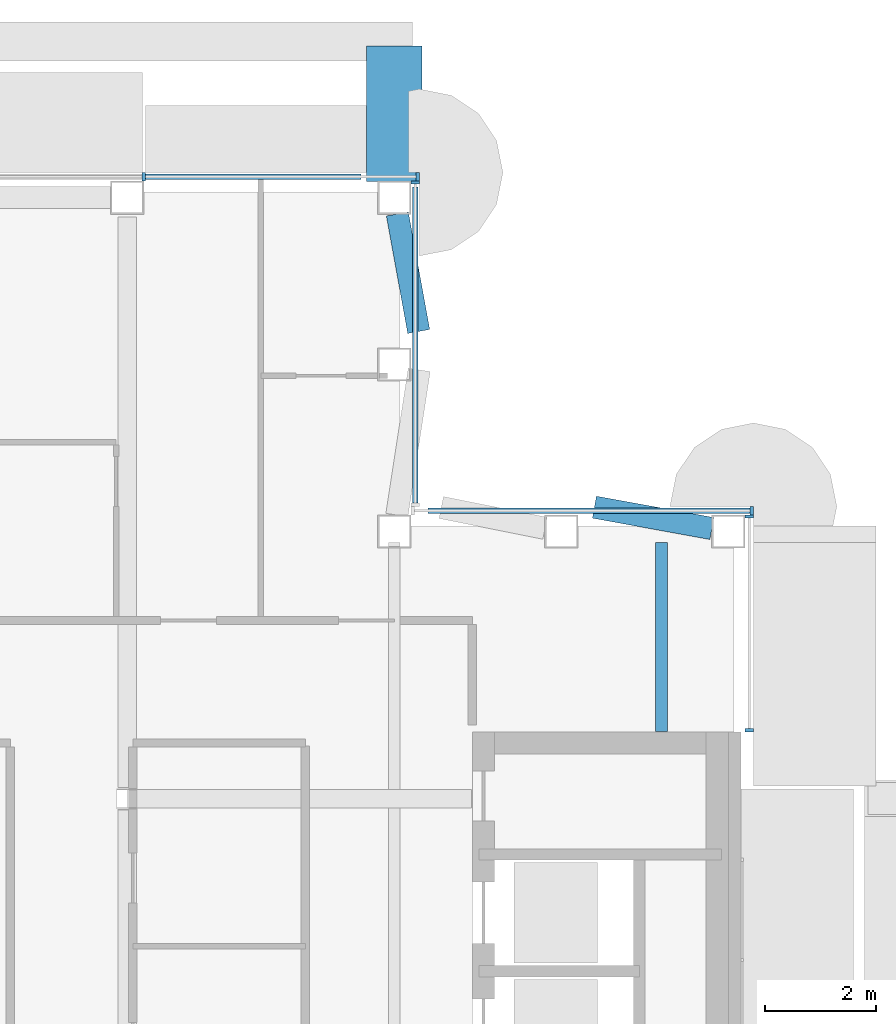
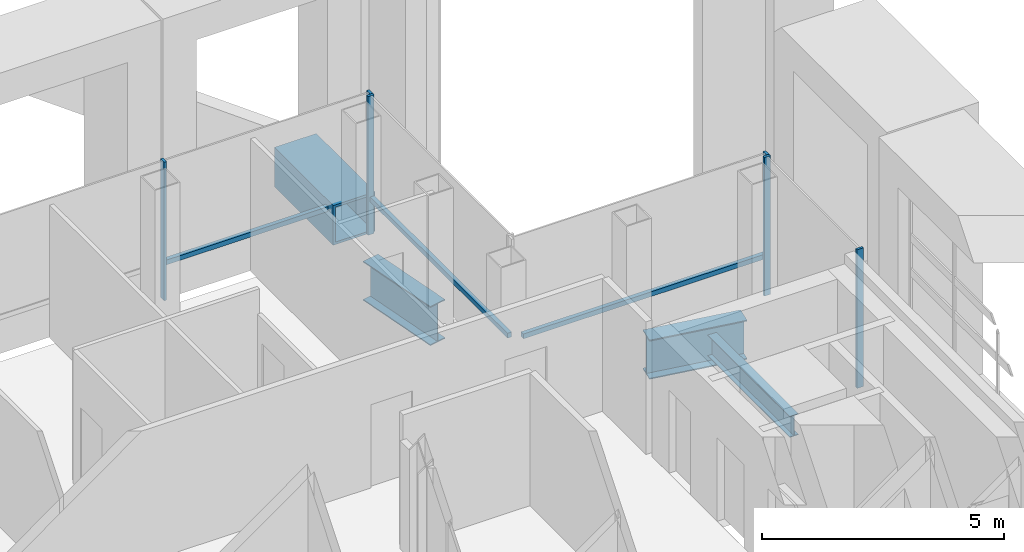
# One storey, part 11 of 29: 9 members, 4 beams, 4 elements without a shape of their own.
"""IFC4 building model written with IfcOpenShell, lengths in metres."""

from ifc_helpers import new_model, si_unit, direction, frame, origin, origin_2d, place, context, subcontext, project, spatial, rectangle, hollow_rectangle, i_section, extrude, material, material_profile, profile_set, type_object, element, aggregate, save


model = new_model("IFC4")

# Units and contexts
model_context = context("Model", 3, precision=1e-05, world=origin(), true_north=direction((0.0, 1.0)))
body_context = subcontext(model_context, "Body", "Model", "MODEL_VIEW")
ifc_project = project(units=[si_unit("LENGTHUNIT", "METRE"), si_unit("AREAUNIT", "SQUARE_METRE"), si_unit("VOLUMEUNIT", "CUBIC_METRE"), si_unit("PLANEANGLEUNIT", "RADIAN"), si_unit("MASSUNIT", "GRAM", prefix="KILO")], contexts=[model_context])

# Site, building, storey
site_placement = place(None, origin())
site = spatial("IfcSite", under=ifc_project, at=site_placement, CompositionType="ELEMENT")
building_placement = place(site_placement, origin())
building = spatial("IfcBuilding", under=site, at=building_placement, Name="Cobrizo Arcos Hotel Tower", CompositionType="ELEMENT")
storey_placement = place(building_placement, frame((0.0, 0.0, 241.0)))
storey = spatial("IfcBuildingStorey", under=building, at=storey_placement, Name="L63", CompositionType="ELEMENT", Elevation=241.0)

# Beam
ifc_material_1 = material(Name="Steel ASTM A572 Grade 50", Category="steel")
ifc_material_profile_1 = material_profile(ifc_material_1, hollow_rectangle(XDim=1.0, YDim=1.0, WallThickness=0.06005859375, at=origin_2d()), Name="BOX 1000X1000X60")
ifc_profile_set_1 = profile_set([ifc_material_profile_1], Name="Steel ASTM A572 Grade 50")
beam_type_1 = type_object("IfcBeamType", Name="BOX 1000X1000X60 brace connector strut", PredefinedType="BEAM", material=ifc_profile_set_1)
beam_1_placement = place(storey_placement, frame((14.39990234375, 20.68994140625, 0.5), z_axis=(0.0, 1.0, 0.0), x_axis=(-1.0, 0.0, 0.0)))
element("IfcBeam", 1, at=beam_1_placement, inside=storey, type_object=beam_type_1, Name="Perimeter brace stub BS1, zone Z5, north face, offset +14.40 m, L63", PredefinedType="BEAM", context=body_context, shape_type="SweptSolid", body=[
    extrude(hollow_rectangle(XDim=1.0, YDim=1.0, WallThickness=0.06005859375, at=origin_2d()), origin(), (0.0, 0.0, 1.0), 2.43017578125),
])

# Curtain wall, members
ifc_material_2 = material(Name="Aluminium 6063-T6 anodised bronze", Category="aluminium")
curtain_wall_type = type_object("IfcCurtainWallType", Name="CW-A guest facade", PredefinedType="NOTDEFINED", material=ifc_material_2)
curtain_wall_1_placement = place(storey_placement, origin())
curtain_wall_1 = element("IfcCurtainWall", 2, at=curtain_wall_1_placement, inside=storey, type_object=curtain_wall_type, Name="CW-A L63 E face", PredefinedType="NOTDEFINED")
ifc_material_profile_2 = material_profile(ifc_material_2, rectangle(XDim=0.14990234375, YDim=0.06005859375, at=origin_2d()), Name="CW-A mullion 150x60")
ifc_profile_set_2 = profile_set([ifc_material_profile_2], Name="Aluminium 6063-T6 anodised bronze")
member_type_1 = type_object("IfcMemberType", Name="CW-A mullion 150x60", PredefinedType="MULLION", material=ifc_profile_set_2)
member_1_placement = place(storey_placement, frame((20.77490234375, 10.830078125, 0.0), z_axis=(0.0, 0.0, 1.0), x_axis=(1.0, 0.0, 0.0)))
member_1 = element("IfcMember", 3, at=member_1_placement, type_object=member_type_1, Name="CW-A mullion 1", PredefinedType="MULLION", context=body_context, shape_type="SweptSolid", body=[
    extrude(rectangle(XDim=0.14990234375, YDim=0.06005859375, at=origin_2d()), origin(), (0.0, 0.0, 1.0), 3.5),
])
member_2_placement = place(storey_placement, frame((20.77490234375, 14.669921875, 0.0), z_axis=(0.0, 0.0, 1.0), x_axis=(1.0, 0.0, 0.0)))
member_2 = element("IfcMember", 4, at=member_2_placement, type_object=member_type_1, Name="CW-A mullion 2", PredefinedType="MULLION", context=body_context, shape_type="SweptSolid", body=[
    extrude(rectangle(XDim=0.14990234375, YDim=0.06005859375, at=origin_2d()), origin(), (0.0, 0.0, 1.0), 3.5),
])
aggregate(curtain_wall_1, [member_1, member_2])

# Curtain wall, member
curtain_wall_2_placement = place(storey_placement, origin())
curtain_wall_2 = element("IfcCurtainWall", 5, at=curtain_wall_2_placement, inside=storey, type_object=curtain_wall_type, Name="CW-A L63 N face", PredefinedType="NOTDEFINED")
member_3_placement = place(storey_placement, frame((20.820068359375, 14.77490234375, 0.0), z_axis=(0.0, 0.0, 1.0), x_axis=(0.0, 1.0, 0.0)))
member_3 = element("IfcMember", 6, at=member_3_placement, type_object=member_type_1, Name="CW-A mullion 1", PredefinedType="MULLION", context=body_context, shape_type="SweptSolid", body=[
    extrude(rectangle(XDim=0.14990234375, YDim=0.06005859375, at=origin_2d()), origin(), (0.0, 0.0, 1.0), 3.5),
])

curtain_wall_3_placement = place(storey_placement, origin())
curtain_wall_3 = element("IfcCurtainWall", 7, at=curtain_wall_3_placement, inside=storey, type_object=curtain_wall_type, Name="CW-A L63 E face", PredefinedType="NOTDEFINED")
member_4_placement = place(storey_placement, frame((14.77490234375, 20.669921875, 0.0), z_axis=(0.0, 0.0, 1.0), x_axis=(1.0, 0.0, 0.0)))
member_4 = element("IfcMember", 8, at=member_4_placement, type_object=member_type_1, Name="CW-A mullion 2", PredefinedType="MULLION", context=body_context, shape_type="SweptSolid", body=[
    extrude(rectangle(XDim=0.14990234375, YDim=0.06005859375, at=origin_2d()), origin(), (0.0, 0.0, 1.0), 3.5),
])

# Curtain wall, members
curtain_wall_4_placement = place(storey_placement, origin())
curtain_wall_4 = element("IfcCurtainWall", 9, at=curtain_wall_4_placement, inside=storey, type_object=curtain_wall_type, Name="CW-A L63 N face", PredefinedType="NOTDEFINED")
member_5_placement = place(storey_placement, frame((14.820068359375, 20.77490234375, 0.0), z_axis=(0.0, 0.0, 1.0), x_axis=(0.0, 1.0, 0.0)))
member_5 = element("IfcMember", 10, at=member_5_placement, type_object=member_type_1, Name="CW-A mullion 1", PredefinedType="MULLION", context=body_context, shape_type="SweptSolid", body=[
    extrude(rectangle(XDim=0.14990234375, YDim=0.06005859375, at=origin_2d()), origin(), (0.0, 0.0, 1.0), 3.5),
])
member_6_placement = place(storey_placement, frame((9.89990234375, 20.77490234375, 0.0), z_axis=(0.0, 0.0, 1.0), x_axis=(0.0, 1.0, 0.0)))
member_6 = element("IfcMember", 11, at=member_6_placement, type_object=member_type_1, Name="CW-A mullion 2", PredefinedType="MULLION", context=body_context, shape_type="SweptSolid", body=[
    extrude(rectangle(XDim=0.14990234375, YDim=0.06005859375, at=origin_2d()), origin(), (0.0, 0.0, 1.0), 3.5),
])

# Member
ifc_material_profile_3 = material_profile(ifc_material_2, rectangle(XDim=0.10009765625, YDim=0.1201171875, at=origin_2d()), Name="CW-A transom 120x100")
ifc_profile_set_3 = profile_set([ifc_material_profile_3], Name="Aluminium 6063-T6 anodised bronze")
member_type_2 = type_object("IfcMemberType", Name="CW-A transom 120x100", PredefinedType="USERDEFINED", material=ifc_profile_set_3)
member_7_placement = place(storey_placement, frame((20.7900390625, 14.77490234375, 0.929931640625), z_axis=(-1.0, 0.0, 0.0), x_axis=(0.0, -1.0, 0.0)))
member_7 = element("IfcMember", 12, at=member_7_placement, type_object=member_type_2, Name="CW-A transom 2022", ObjectType="TRANSOM", PredefinedType="USERDEFINED", context=body_context, shape_type="SweptSolid", body=[
    extrude(rectangle(XDim=0.10009765625, YDim=0.1201171875, at=origin_2d()), origin(), (0.0, 0.0, 1.0), 5.7900390625),
])

aggregate(curtain_wall_2, [member_3, member_7])

member_8_placement = place(storey_placement, frame((14.77490234375, 14.909912109375, 0.929931640625), z_axis=(0.0, 1.0, 0.0), x_axis=(-1.0, 0.0, 0.0)))
member_8 = element("IfcMember", 13, at=member_8_placement, type_object=member_type_2, Name="CW-A transom 2023", ObjectType="TRANSOM", PredefinedType="USERDEFINED", context=body_context, shape_type="SweptSolid", body=[
    extrude(rectangle(XDim=0.10009765625, YDim=0.1201171875, at=origin_2d()), origin(), (0.0, 0.0, 1.0), 5.68017578125),
])

aggregate(curtain_wall_3, [member_4, member_8])

member_9_placement = place(storey_placement, frame((13.800048828125, 20.77490234375, 0.929931640625), z_axis=(-1.0, 0.0, 0.0), x_axis=(0.0, -1.0, 0.0)))
member_9 = element("IfcMember", 14, at=member_9_placement, type_object=member_type_2, Name="CW-A transom 2024", ObjectType="TRANSOM", PredefinedType="USERDEFINED", context=body_context, shape_type="SweptSolid", body=[
    extrude(rectangle(XDim=0.10009765625, YDim=0.1201171875, at=origin_2d()), origin(), (0.0, 0.0, 1.0), 3.8701171875),
])

aggregate(curtain_wall_4, [member_5, member_6, member_9])

# Beams
ifc_material_3 = material(Name="Steel ASTM A992 Grade 50", Category="steel")
ifc_material_profile_4 = material_profile(ifc_material_3, i_section(OverallWidth=0.209228515625, OverallDepth=0.533447265625, WebThickness=0.01025390625, FlangeThickness=0.015625, at=origin_2d()), Name="W21X62")
ifc_profile_set_4 = profile_set([ifc_material_profile_4], Name="Steel ASTM A992 Grade 50")
beam_type_2 = type_object("IfcBeamType", Name="W21X62 joist", PredefinedType="JOIST", material=ifc_profile_set_4)
beam_2_placement = place(storey_placement, frame((19.199951171875, 10.81005859375, -0.416748046875), z_axis=(0.0, 1.0, 0.0), x_axis=(-1.0, 0.0, 0.0)))
element("IfcBeam", 15, at=beam_2_placement, inside=storey, type_object=beam_type_2, Name="Floor joist J1, L63, no. 020", PredefinedType="JOIST", context=body_context, shape_type="SweptSolid", body=[
    extrude(i_section(OverallWidth=0.209228515625, OverallDepth=0.533447265625, WebThickness=0.01025390625, FlangeThickness=0.015625, at=origin_2d()), origin(), (0.0, 0.0, 1.0), 3.389404296875),
])
ifc_material_profile_5 = material_profile(ifc_material_3, i_section(OverallWidth=0.4013671875, OverallDepth=0.990478515625, WebThickness=0.0166015625, FlangeThickness=0.025390625, at=origin_2d()), Name="W40X215")
ifc_profile_set_5 = profile_set([ifc_material_profile_5], Name="Steel ASTM A992 Grade 50")
beam_type_3 = type_object("IfcBeamType", Name="W40X215 transfer girder", PredefinedType="BEAM", material=ifc_profile_set_5)
for number, where, z_axis, x_axis, name in (
    (16, (14.83740234375, 17.994384765625, -0.645263671875), (-0.178925502795, 0.983862624785, 0.0), (-0.983862624785, -0.178925502795, 0.0), "Setback transfer girder TG1, L63, no. 011"),
    (17, (17.994384765625, 14.83740234375, -0.645263671875), (0.983862624785, -0.178925502795, 0.0), (0.178925502795, 0.983862624785, 0.0), "Setback transfer girder TG1, L63, no. 015"),
):
    element("IfcBeam", number, at=place(storey_placement, frame(where, z_axis=z_axis, x_axis=x_axis)), inside=storey, type_object=beam_type_3, Name=name, PredefinedType="BEAM", context=body_context, shape_type="SweptSolid", body=[
        extrude(i_section(OverallWidth=0.4013671875, OverallDepth=0.990478515625, WebThickness=0.0166015625, FlangeThickness=0.025390625, at=origin_2d()), origin(), (0.0, 0.0, 1.0), 2.14501953125),
    ])

save(model, "model.ifc")
